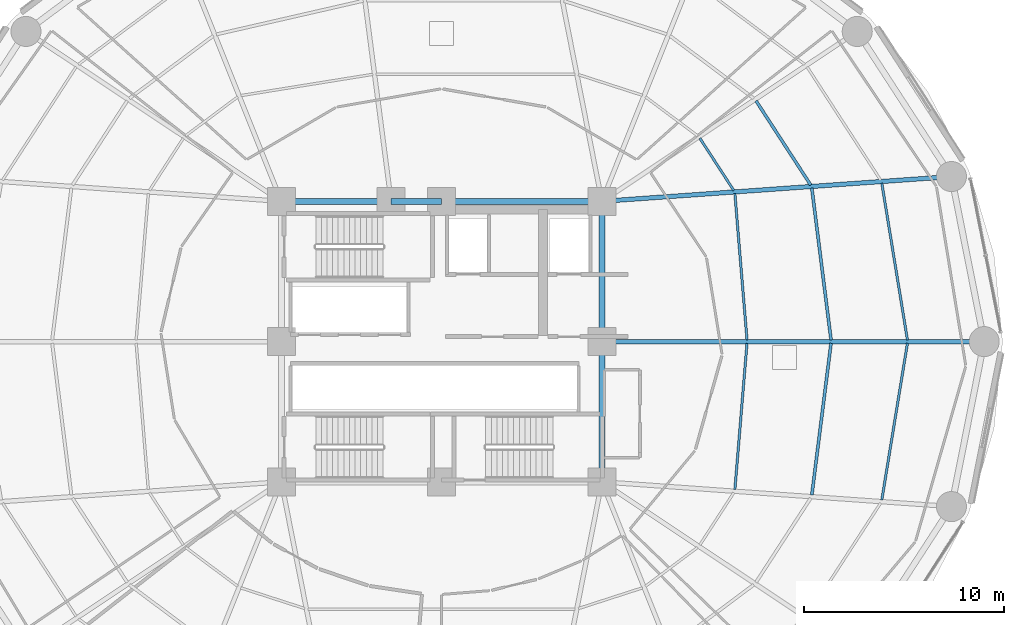
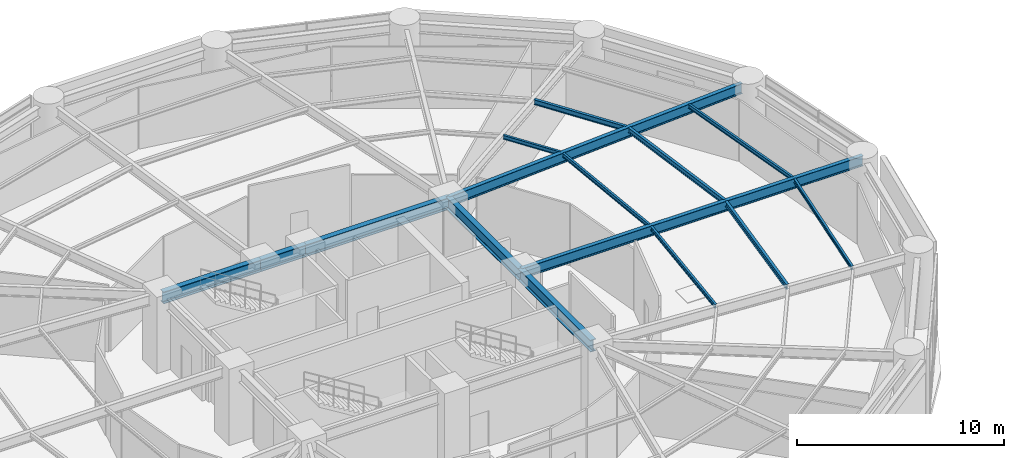
# One storey, part 22 of 46: 15 beams.
"""IFC4 building model written with IfcOpenShell, lengths in metres."""

import ifcopenshell
import ifcopenshell.guid

model = None  # the IFC model being written
_history = None  # IfcOwnerHistory: only IFC2X3 demands one
_inside = {}  # id of a spatial element -> (the spatial element, [elements in it])
_under = {}  # id of a project, library or spatial element -> (it, [spatial elements below it])
_declared = {}  # id of a project -> (the project, [libraries it declares])
_typed = {}  # id of a type object -> (the type object, [elements of that type])
_made_of = {}  # id of a material, layer set ... -> (it, [elements and type objects made of it])


def new_model(schema):
    """Start an empty IFC model of exactly this schema.

    Asked for "IFC4X3", IfcOpenShell would pick the latest addendum, in which some entities
    have other attributes; the version numbers below select the first issue.
    IFC2X3 requires an IfcOwnerHistory on every rooted entity: one is made here for all.
    """
    global model, _history
    if schema == "IFC4X3":
        model = ifcopenshell.file(schema_version=(4, 3, 0, 0))
    else:
        model = ifcopenshell.file(schema=schema)
    _inside.clear()
    _under.clear()
    _declared.clear()
    _typed.clear()
    _made_of.clear()
    _history = None
    if model.schema == "IFC2X3":
        org = make("IfcOrganization", Name="unknown")
        user = make(
            "IfcPersonAndOrganization",
            ThePerson=make("IfcPerson", FamilyName="unknown"),
            TheOrganization=org,
        )
        app = make(
            "IfcApplication",
            ApplicationDeveloper=org,
            Version="unknown",
            ApplicationFullName="unknown",
            ApplicationIdentifier="unknown",
        )
        _history = make(
            "IfcOwnerHistory",
            OwningUser=user,
            OwningApplication=app,
            ChangeAction="ADDED",
            CreationDate=0,
        )
    return model


def make(cls, **values):
    """One entity of the class cls with the attributes given. An attribute that is None is left unset."""
    return model.create_entity(
        cls, **{name: value for name, value in values.items() if value is not None}
    )


def rooted(cls, **values):
    """An entity with a GlobalId (a new one), such as an element, a storey or a relation."""
    return make(cls, GlobalId=ifcopenshell.guid.new(), OwnerHistory=_history, **values)


def si_unit(unit_type, name, prefix=None):
    """IfcSIUnit, for example si_unit("LENGTHUNIT", "METRE", prefix="MILLI")."""
    return make("IfcSIUnit", UnitType=unit_type, Prefix=prefix, Name=name)


def assignment(units):
    """IfcUnitAssignment: the units of a project."""
    return None if units is None else make("IfcUnitAssignment", Units=units)


def point(xyz):
    """IfcCartesianPoint."""
    return None if xyz is None else make("IfcCartesianPoint", Coordinates=xyz)


def direction(xyz):
    """IfcDirection."""
    return None if xyz is None else make("IfcDirection", DirectionRatios=xyz)


def frame(location, z_axis=None, x_axis=None):
    """IfcAxis2Placement3D, a coordinate frame: its origin and axes. An axis left out is left unset."""
    return make(
        "IfcAxis2Placement3D",
        Location=point(location),
        Axis=direction(z_axis),
        RefDirection=direction(x_axis),
    )


def frame_2d(location, x_axis=None):
    """IfcAxis2Placement2D, a coordinate frame in the plane: its origin and x axis."""
    return make(
        "IfcAxis2Placement2D", Location=point(location), RefDirection=direction(x_axis)
    )


def origin():
    """The frame at (0, 0, 0) with its axes left unset."""
    return frame((0.0, 0.0, 0.0))


def origin_2d():
    """The frame at (0, 0) in the plane with its x axis left unset."""
    return frame_2d((0.0, 0.0))


def place(relative_to, where):
    """IfcLocalPlacement: puts the frame where relative to a parent placement (None: the world)."""
    return make(
        "IfcLocalPlacement", PlacementRelTo=relative_to, RelativePlacement=where
    )


def context(
    kind, dimensions, precision=None, world=None, true_north=None, identifier=None
):
    """IfcGeometricRepresentationContext, for example the 3D "Model" context."""
    return make(
        "IfcGeometricRepresentationContext",
        ContextIdentifier=identifier,
        ContextType=kind,
        CoordinateSpaceDimension=dimensions,
        Precision=precision,
        WorldCoordinateSystem=world,
        TrueNorth=true_north,
    )


def subcontext(parent, identifier, kind, view, scale=None):
    """IfcGeometricRepresentationSubContext, for example "Body" below "Model"."""
    return make(
        "IfcGeometricRepresentationSubContext",
        ContextIdentifier=identifier,
        ContextType=kind,
        ParentContext=parent,
        TargetScale=scale,
        TargetView=view,
    )


def project(units=None, contexts=None):
    """IfcProject with its units and contexts."""
    return rooted(
        "IfcProject",
        Name="project",
        RepresentationContexts=contexts,
        UnitsInContext=assignment(units),
    )


def spatial(cls, under=None, at=None, **own):
    """A site, building, storey or space (cls), placed at a placement, below another one or the project."""
    s = rooted(cls, ObjectPlacement=at, **own)
    if under is not None:
        _under.setdefault(under.id(), (under, []))[1].append(s)
    return s


def profile(cls, at=None, kind="AREA", **sizes):
    """A parametric profile (cls). Its sizes go by their IFC names, for example OverallWidth=200.0."""
    return make(cls, ProfileType=kind, Position=at, **sizes)


def i_section(**sizes):
    """IfcIShapeProfileDef."""
    return profile("IfcIShapeProfileDef", **sizes)


def extrude(swept, where, along, depth):
    """IfcExtrudedAreaSolid: the profile swept, set in the frame where, extruded along a direction by depth."""
    return make(
        "IfcExtrudedAreaSolid",
        SweptArea=swept,
        Position=where,
        ExtrudedDirection=direction(along),
        Depth=depth,
    )


def shape(context_of_items, identifier, shape_type, items):
    """IfcShapeRepresentation: the items that make up one representation, for example the "Body"."""
    return make(
        "IfcShapeRepresentation",
        ContextOfItems=context_of_items,
        RepresentationIdentifier=identifier,
        RepresentationType=shape_type,
        Items=items,
    )


def material(Name=None, Category=None):
    """IfcMaterial."""
    return make("IfcMaterial", Name=Name, Category=Category)


def material_profile(
    of_material, cross_section, Name=None, Category=None, Priority=None
):
    """IfcMaterialProfile: a cross section and its material."""
    return make(
        "IfcMaterialProfile",
        Name=Name,
        Material=of_material,
        Profile=cross_section,
        Priority=Priority,
        Category=Category,
    )


def profile_set(profiles, Name=None, composite=None):
    """IfcMaterialProfileSet."""
    return make(
        "IfcMaterialProfileSet",
        Name=Name,
        MaterialProfiles=profiles,
        CompositeProfile=composite,
    )


def made_of(thing, what):
    """Note that an element or type object is made of a material, layer set ...; save() writes the relation."""
    if what is not None:
        _made_of.setdefault(what.id(), (what, []))[1].append(thing)
    return thing


def type_object(cls, material=None, **own):
    """A type object (cls), such as IfcWallType, which elements share."""
    return made_of(rooted(cls, **own), material)


def element(
    cls,
    number,
    at=None,
    inside=None,
    cuts=None,
    type_object=None,
    material=None,
    context=None,
    identifier="Body",
    shape_type=None,
    held_by="IfcProductDefinitionShape",
    body=None,
    shapes=None,
    **own,
):
    """One element of the class cls, such as IfcWall. Its Tag is "e" and its number.

    at: its placement. inside: the storey or other place that contains it. cuts: it is an
    opening in that element (IfcRelVoidsElement). A single representation is given by context,
    identifier, shape_type and body (its items); several are given by shapes. held_by: the class
    of the entity that holds the representations. save() writes the other relations.
    """
    e = rooted(cls, Tag="e%d" % number, ObjectPlacement=at, **own)
    if body is not None:
        shapes = [shape(context, identifier, shape_type, body)]
    if shapes is not None:
        e.Representation = make(held_by, Representations=shapes)
    if inside is not None:
        _inside.setdefault(inside.id(), (inside, []))[1].append(e)
    if cuts is not None:
        rooted(
            "IfcRelVoidsElement", RelatingBuildingElement=cuts, RelatedOpeningElement=e
        )
    if type_object is not None:
        _typed.setdefault(type_object.id(), (type_object, []))[1].append(e)
    return made_of(e, material)


def aggregate(whole, parts):
    """IfcRelAggregates: a whole, such as a stair, and the parts it consists of."""
    return rooted("IfcRelAggregates", RelatingObject=whole, RelatedObjects=parts)


def save(model, path):
    """Write the relations noted so far, then the file.

    IfcRelAggregates (storeys below a building ...), IfcRelContainedInSpatialStructure (elements
    in a storey), IfcRelDefinesByType, IfcRelAssociatesMaterial and IfcRelDeclares: one each for
    every whole, place, type object, material and project.
    """
    for whole, parts in _under.values():
        aggregate(whole, parts)
    for where, things in _inside.values():
        rooted(
            "IfcRelContainedInSpatialStructure",
            RelatedElements=things,
            RelatingStructure=where,
        )
    for kind, things in _typed.values():
        rooted("IfcRelDefinesByType", RelatedObjects=things, RelatingType=kind)
    for what, things in _made_of.values():
        rooted("IfcRelAssociatesMaterial", RelatedObjects=things, RelatingMaterial=what)
    for by, libraries in _declared.values():
        rooted("IfcRelDeclares", RelatingContext=by, RelatedDefinitions=libraries)
    model.write(path)


model = new_model("IFC4")

# Units and contexts
model_context = context("Model", 3, precision=1e-05, world=origin(), true_north=direction((0.0, 1.0)))
body_context = subcontext(model_context, "Body", "Model", "MODEL_VIEW")
ifc_project = project(units=[si_unit("LENGTHUNIT", "METRE"), si_unit("AREAUNIT", "SQUARE_METRE"), si_unit("VOLUMEUNIT", "CUBIC_METRE"), si_unit("PLANEANGLEUNIT", "RADIAN"), si_unit("MASSUNIT", "GRAM", prefix="KILO")], contexts=[model_context])

# Site, building, storey
site_placement = place(None, origin())
site = spatial("IfcSite", under=ifc_project, at=site_placement, CompositionType="ELEMENT")
building_placement = place(site_placement, origin())
building = spatial("IfcBuilding", under=site, at=building_placement, Name="Kelanora Arch Commons", CompositionType="ELEMENT")
storey_placement = place(building_placement, frame((0.0, 0.0, 18.0)))
storey = spatial("IfcBuildingStorey", under=building, at=storey_placement, Name="L04", CompositionType="ELEMENT", Elevation=18.0)

# Beams
ifc_material = material(Name="Steel S355", Category="steel")
ifc_material_profile_1 = material_profile(ifc_material, i_section(OverallWidth=0.300048828125, OverallDepth=0.699951171875, WebThickness=0.01708984375, FlangeThickness=0.031982421875, FilletRadius=0.027099609375, at=origin_2d()), Name="HEB700")
ifc_profile_set_1 = profile_set([ifc_material_profile_1], Name="Steel S355")
beam_type_1 = type_object("IfcBeamType", Name="BM-CORE-HDR", PredefinedType="BEAM", material=ifc_profile_set_1)
for number, where, z_axis, x_axis, name in (
    (1, (82.0, 51.0, 3.889892578125), (0.0, 1.0, 0.0), (-1.0, 0.0, 0.0), "Core Header Beam 03 L04"),
    (2, (82.0, 58.0, 3.889892578125), (0.0, 1.0, 0.0), (-1.0, 0.0, 0.0), "Core Header Beam 04 L04"),
):
    element("IfcBeam", number, at=place(storey_placement, frame(where, z_axis=z_axis, x_axis=x_axis)), inside=storey, type_object=beam_type_1, Name=name, PredefinedType="BEAM", context=body_context, shape_type="SweptSolid", body=[
        extrude(i_section(OverallWidth=0.300048828125, OverallDepth=0.699951171875, WebThickness=0.01708984375, FlangeThickness=0.031982421875, FilletRadius=0.027099609375, at=origin_2d()), origin(), (0.0, 0.0, 1.0), 7.0),
    ])
beam_1_placement = place(storey_placement, frame((82.0, 65.0, 3.889892578125), z_axis=(-1.0, 0.0, 0.0), x_axis=(0.0, -1.0, 0.0)))
element("IfcBeam", 3, at=beam_1_placement, inside=storey, type_object=beam_type_1, Name="Core Header Beam 05 L04", PredefinedType="BEAM", context=body_context, shape_type="SweptSolid", body=[
    extrude(i_section(OverallWidth=0.300048828125, OverallDepth=0.699951171875, WebThickness=0.01708984375, FlangeThickness=0.031982421875, FilletRadius=0.027099609375, at=origin_2d()), origin(), (0.0, 0.0, 1.0), 8.0),
])
beam_2_placement = place(storey_placement, frame((74.0, 65.0, 3.889892578125), z_axis=(-1.0, 0.0, 0.0), x_axis=(0.0, -1.0, 0.0)))
element("IfcBeam", 4, at=beam_2_placement, inside=storey, type_object=beam_type_1, Name="Core Header Beam 06 L04", PredefinedType="BEAM", context=body_context, shape_type="SweptSolid", body=[
    extrude(i_section(OverallWidth=0.300048828125, OverallDepth=0.699951171875, WebThickness=0.01708984375, FlangeThickness=0.031982421875, FilletRadius=0.027099609375, at=origin_2d()), origin(), (0.0, 0.0, 1.0), 2.52001953125),
])
beam_3_placement = place(storey_placement, frame((71.47998046875, 65.0, 3.889892578125), z_axis=(-1.0, 0.0, 0.0), x_axis=(0.0, -1.0, 0.0)))
element("IfcBeam", 5, at=beam_3_placement, inside=storey, type_object=beam_type_1, Name="Core Header Beam 07 L04", PredefinedType="BEAM", context=body_context, shape_type="SweptSolid", body=[
    extrude(i_section(OverallWidth=0.300048828125, OverallDepth=0.699951171875, WebThickness=0.01708984375, FlangeThickness=0.031982421875, FilletRadius=0.027099609375, at=origin_2d()), origin(), (0.0, 0.0, 1.0), 5.47998046875),
])
ifc_material_profile_2 = material_profile(ifc_material, i_section(OverallWidth=0.14990234375, OverallDepth=0.300048828125, WebThickness=0.007080078125, FlangeThickness=0.0107421875, FilletRadius=0.014892578125, at=origin_2d()), Name="IPE300")
ifc_profile_set_2 = profile_set([ifc_material_profile_2], Name="Steel S355")
beam_type_2 = type_object("IfcBeamType", Name="BM-JST-01", PredefinedType="JOIST", material=ifc_profile_set_2)
beam_4_placement = place(storey_placement, frame((93.437255859375, 58.084228515625, 4.090087890625), z_axis=(-0.125565841651, 0.992085288375, 0.0), x_axis=(-0.992085288375, -0.125565841651, 0.0)))
element("IfcBeam", 6, at=beam_4_placement, inside=storey, type_object=beam_type_2, Name="Secondary Chord Joist BJB-00 L04", PredefinedType="JOIST", context=body_context, shape_type="SweptSolid", body=[
    extrude(i_section(OverallWidth=0.14990234375, OverallDepth=0.300048828125, WebThickness=0.007080078125, FlangeThickness=0.0107421875, FilletRadius=0.014892578125, at=origin_2d()), origin(), (0.0, 0.0, 1.0), 7.63330078125),
])
beam_5_placement = place(storey_placement, frame((92.421875, 65.812744140625, 4.090087890625), z_axis=(-0.544551588245, 0.838727350061, 0.0), x_axis=(-0.838727350061, -0.544551588245, 0.0)))
element("IfcBeam", 7, at=beam_5_placement, inside=storey, type_object=beam_type_2, Name="Secondary Chord Joist BJB-02 L04", PredefinedType="JOIST", context=body_context, shape_type="SweptSolid", body=[
    extrude(i_section(OverallWidth=0.14990234375, OverallDepth=0.300048828125, WebThickness=0.007080078125, FlangeThickness=0.0107421875, FilletRadius=0.014892578125, at=origin_2d()), origin(), (0.0, 0.0, 1.0), 5.010986328125),
])
beam_6_placement = place(storey_placement, frame((92.478759765625, 50.3427734375, 4.090087890625), z_axis=(0.125565841651, 0.992085288375, 0.0), x_axis=(-0.992085288375, 0.125565841651, 0.0)))
element("IfcBeam", 8, at=beam_6_placement, inside=storey, type_object=beam_type_2, Name="Secondary Chord Joist BJB-34 L04", PredefinedType="JOIST", context=body_context, shape_type="SweptSolid", body=[
    extrude(i_section(OverallWidth=0.14990234375, OverallDepth=0.300048828125, WebThickness=0.007080078125, FlangeThickness=0.0107421875, FilletRadius=0.014892578125, at=origin_2d()), origin(), (0.0, 0.0, 1.0), 7.63330078125),
])
ifc_material_profile_3 = material_profile(ifc_material, i_section(OverallWidth=0.1201171875, OverallDepth=0.239990234375, WebThickness=0.006103515625, FlangeThickness=0.009765625, FilletRadius=0.014892578125, at=origin_2d()), Name="IPE240")
ifc_profile_set_3 = profile_set([ifc_material_profile_3], Name="Steel S355")
beam_type_3 = type_object("IfcBeamType", Name="BM-JST-02", PredefinedType="JOIST", material=ifc_profile_set_3)
beam_7_placement = place(storey_placement, frame((89.243408203125, 58.084716796875, 4.1201171875), z_axis=(-0.082786209886, 0.996567330115, 0.0), x_axis=(-0.996567330115, -0.082786209886, 0.0)))
element("IfcBeam", 9, at=beam_7_placement, inside=storey, type_object=beam_type_3, Name="Secondary Chord Joist BJA-00 L04", PredefinedType="JOIST", context=body_context, shape_type="SweptSolid", body=[
    extrude(i_section(OverallWidth=0.1201171875, OverallDepth=0.239990234375, WebThickness=0.006103515625, FlangeThickness=0.009765625, FilletRadius=0.014892578125, at=origin_2d()), origin(), (0.0, 0.0, 1.0), 7.325439453125),
])
beam_8_placement = place(storey_placement, frame((97.250244140625, 58.083984375, 4.1201171875), z_axis=(-0.161400737199, 0.986888951216, 0.0), x_axis=(-0.986888951216, -0.161400737199, 0.0)))
element("IfcBeam", 10, at=beam_8_placement, inside=storey, type_object=beam_type_3, Name="Secondary Chord Joist BJC-00 L04", PredefinedType="JOIST", context=body_context, shape_type="SweptSolid", body=[
    extrude(i_section(OverallWidth=0.1201171875, OverallDepth=0.239990234375, WebThickness=0.006103515625, FlangeThickness=0.009765625, FilletRadius=0.014892578125, at=origin_2d()), origin(), (0.0, 0.0, 1.0), 7.9248046875),
])
beam_9_placement = place(storey_placement, frame((88.58349609375, 65.541015625, 4.1201171875), z_axis=(-0.544591105858, 0.838701691557, 0.0), x_axis=(-0.838701691557, -0.544591105858, 0.0)))
element("IfcBeam", 11, at=beam_9_placement, inside=storey, type_object=beam_type_3, Name="Secondary Chord Joist BJA-02 L04", PredefinedType="JOIST", context=body_context, shape_type="SweptSolid", body=[
    extrude(i_section(OverallWidth=0.1201171875, OverallDepth=0.239990234375, WebThickness=0.006103515625, FlangeThickness=0.009765625, FilletRadius=0.014892578125, at=origin_2d()), origin(), (0.0, 0.0, 1.0), 3.111328125),
])
beam_10_placement = place(storey_placement, frame((88.636962890625, 50.614990234375, 4.1201171875), z_axis=(0.082786209886, 0.996567330115, 0.0), x_axis=(-0.996567330115, 0.082786209886, 0.0)))
element("IfcBeam", 12, at=beam_10_placement, inside=storey, type_object=beam_type_3, Name="Secondary Chord Joist BJA-34 L04", PredefinedType="JOIST", context=body_context, shape_type="SweptSolid", body=[
    extrude(i_section(OverallWidth=0.1201171875, OverallDepth=0.239990234375, WebThickness=0.006103515625, FlangeThickness=0.009765625, FilletRadius=0.014892578125, at=origin_2d()), origin(), (0.0, 0.0, 1.0), 7.325439453125),
])
beam_11_placement = place(storey_placement, frame((95.97119140625, 50.09521484375, 4.1201171875), z_axis=(0.161400737199, 0.986888951216, 0.0), x_axis=(-0.986888951216, 0.161400737199, 0.0)))
element("IfcBeam", 13, at=beam_11_placement, inside=storey, type_object=beam_type_3, Name="Secondary Chord Joist BJC-34 L04", PredefinedType="JOIST", context=body_context, shape_type="SweptSolid", body=[
    extrude(i_section(OverallWidth=0.1201171875, OverallDepth=0.239990234375, WebThickness=0.006103515625, FlangeThickness=0.009765625, FilletRadius=0.014892578125, at=origin_2d()), origin(), (0.0, 0.0, 1.0), 7.9248046875),
])
ifc_material_profile_4 = material_profile(ifc_material, i_section(OverallWidth=0.219970703125, OverallDepth=0.60009765625, WebThickness=0.011962890625, FlangeThickness=0.01904296875, FilletRadius=0.02392578125, at=origin_2d()), Name="IPE600")
ifc_profile_set_4 = profile_set([ifc_material_profile_4], Name="Steel S355")
beam_type_4 = type_object("IfcBeamType", Name="BM-RAD-Z1", PredefinedType="BEAM", material=ifc_profile_set_4)
beam_12_placement = place(storey_placement, frame((82.0, 58.0, 3.93994140625), z_axis=(1.0, 0.0, 0.0), x_axis=(0.0, 1.0, 0.0)))
element("IfcBeam", 14, at=beam_12_placement, inside=storey, type_object=beam_type_4, Name="Radial Floor Girder BR-00 L04", PredefinedType="BEAM", context=body_context, shape_type="SweptSolid", body=[
    extrude(i_section(OverallWidth=0.219970703125, OverallDepth=0.60009765625, WebThickness=0.011962890625, FlangeThickness=0.01904296875, FilletRadius=0.02392578125, at=origin_2d()), origin(), (0.0, 0.0, 1.0), 19.080078125),
])
beam_13_placement = place(storey_placement, frame((82.0, 65.0, 3.93994140625), z_axis=(0.997500678462, 0.070656892572, 0.0), x_axis=(-0.070656892572, 0.997500678462, 0.0)))
element("IfcBeam", 15, at=beam_13_placement, inside=storey, type_object=beam_type_4, Name="Radial Floor Girder BR-02 L04", PredefinedType="BEAM", context=body_context, shape_type="SweptSolid", body=[
    extrude(i_section(OverallWidth=0.219970703125, OverallDepth=0.60009765625, WebThickness=0.011962890625, FlangeThickness=0.01904296875, FilletRadius=0.02392578125, at=origin_2d()), origin(), (0.0, 0.0, 1.0), 17.110595703125),
])

save(model, "model.ifc")
